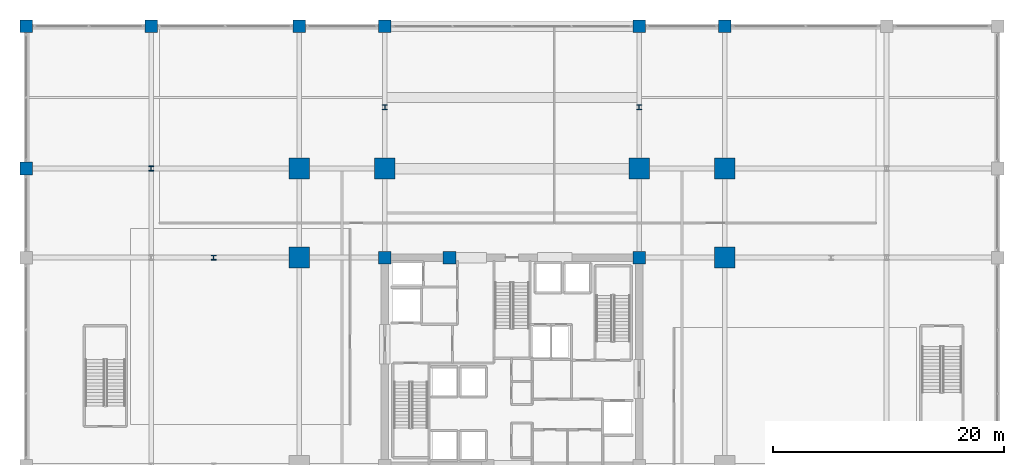
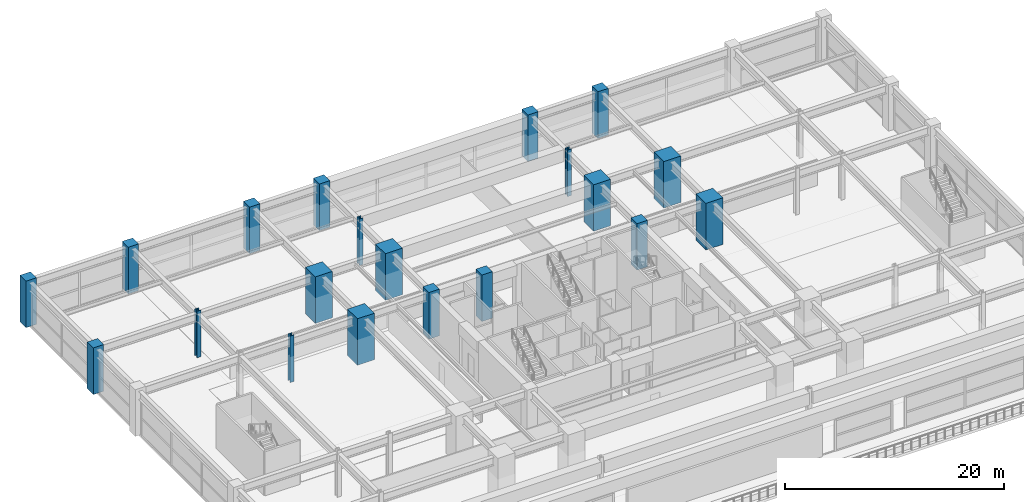
# One storey, part 2 of 45: 20 columns.
"""IFC4 building model written with IfcOpenShell, lengths in metres."""

from ifc_helpers import new_model, si_unit, direction, frame, origin, origin_2d, place, context, subcontext, project, spatial, rectangle, i_section, extrude, material, material_profile, profile_set, type_object, element, save


model = new_model("IFC4")

# Units and contexts
model_context = context("Model", 3, precision=1e-05, world=origin(), true_north=direction((0.0, 1.0)))
body_context = subcontext(model_context, "Body", "Model", "MODEL_VIEW")
ifc_project = project(units=[si_unit("LENGTHUNIT", "METRE"), si_unit("AREAUNIT", "SQUARE_METRE"), si_unit("VOLUMEUNIT", "CUBIC_METRE"), si_unit("PLANEANGLEUNIT", "RADIAN"), si_unit("MASSUNIT", "GRAM", prefix="KILO")], contexts=[model_context])

# Site, building, storey
site_placement = place(None, origin())
site = spatial("IfcSite", under=ifc_project, at=site_placement, CompositionType="ELEMENT")
building_placement = place(site_placement, origin())
building = spatial("IfcBuilding", under=site, at=building_placement, Name="Kovane Verandah Tower", CompositionType="ELEMENT")
storey_placement = place(building_placement, frame((0.0, 0.0, 6.0)))
storey = spatial("IfcBuildingStorey", under=building, at=storey_placement, Name="L01", CompositionType="ELEMENT", Elevation=6.0)

# Columns
ifc_material_1 = material(Name="Concrete C60/75", Category="concrete")
ifc_material_profile_1 = material_profile(ifc_material_1, rectangle(XDim=1.10009765625, YDim=1.10009765625, at=origin_2d()), Name="RC1100x1100")
ifc_profile_set_1 = profile_set([ifc_material_profile_1], Name="Concrete C60/75")
column_type_1 = type_object("IfcColumnType", Name="COL-POD1100", PredefinedType="COLUMN", material=ifc_profile_set_1)
for number, where, z_axis, x_axis, name in (
    (1, (-2.0, 44.199951171875, 0.0), (0.0, 0.0, 1.0), (1.0, 0.0, 0.0), "L01 Podium Column PC-W4"),
    (2, (-2.0, 56.5, 0.0), (0.0, 0.0, 1.0), (1.0, 0.0, 0.0), "L01 Podium Column PC-W5"),
    (3, (8.800048828125, 56.5, 0.0), (0.0, 0.0, 1.0), (1.0, 0.0, 0.0), "L01 Podium Column PC-N1"),
    (4, (21.60009765625, 56.5, 0.0), (0.0, 0.0, 1.0), (1.0, 0.0, 0.0), "L01 Podium Column PC-N2"),
    (5, (29.0, 56.5, 0.0), (0.0, 0.0, 1.0), (1.0, 0.0, 0.0), "L01 Podium Column PC-N3"),
    (6, (51.0, 56.5, 0.0), (0.0, 0.0, 1.0), (1.0, 0.0, 0.0), "L01 Podium Column PC-N4"),
    (7, (58.39990234375, 56.5, 0.0), (0.0, 0.0, 1.0), (1.0, 0.0, 0.0), "L01 Podium Column PC-N5"),
):
    element("IfcColumn", number, at=place(storey_placement, frame(where, z_axis=z_axis, x_axis=x_axis)), inside=storey, type_object=column_type_1, Name=name, PredefinedType="COLUMN", context=body_context, shape_type="SweptSolid", body=[
        extrude(rectangle(XDim=1.10009765625, YDim=1.10009765625, at=origin_2d()), origin(), (0.0, 0.0, 1.0), 5.199951171875),
    ])
ifc_material_2 = material(Name="Concrete C80/95", Category="concrete")
ifc_material_profile_2 = material_profile(ifc_material_2, rectangle(XDim=1.800048828125, YDim=1.800048828125, at=origin_2d()), Name="RC1800x1800")
ifc_profile_set_2 = profile_set([ifc_material_profile_2], Name="Concrete C80/95")
column_type_2 = type_object("IfcColumnType", Name="COL-RC1800", PredefinedType="COLUMN", material=ifc_profile_set_2)
for number, where, z_axis, x_axis, name in (
    (8, (29.0, 44.199951171875, 0.0), (0.0, 0.0, 1.0), (1.0, 0.0, 0.0), "L01 Tower Mega-Column MC-N1"),
    (9, (51.0, 44.199951171875, 0.0), (0.0, 0.0, 1.0), (1.0, 0.0, 0.0), "L01 Tower Mega-Column MC-N2"),
    (10, (21.60009765625, 36.5, 0.0), (0.0, 0.0, 1.0), (1.0, 0.0, 0.0), "L01 Tower Mega-Column MC-W2"),
    (11, (58.39990234375, 36.5, 0.0), (0.0, 0.0, 1.0), (1.0, 0.0, 0.0), "L01 Tower Mega-Column MC-E2"),
    (12, (21.60009765625, 44.199951171875, 0.0), (0.0, 0.0, 1.0), (1.0, 0.0, 0.0), "L01 Tower Mega-Column MC-NW"),
    (13, (58.39990234375, 44.199951171875, 0.0), (0.0, 0.0, 1.0), (1.0, 0.0, 0.0), "L01 Tower Mega-Column MC-NE"),
):
    element("IfcColumn", number, at=place(storey_placement, frame(where, z_axis=z_axis, x_axis=x_axis)), inside=storey, type_object=column_type_2, Name=name, PredefinedType="COLUMN", context=body_context, shape_type="SweptSolid", body=[
        extrude(rectangle(XDim=1.800048828125, YDim=1.800048828125, at=origin_2d()), origin(), (0.0, 0.0, 1.0), 5.199951171875),
    ])
ifc_material_3 = material(Name="Steel S460", Category="steel")
ifc_material_profile_3 = material_profile(ifc_material_3, i_section(OverallWidth=0.412109375, OverallDepth=0.4365234375, WebThickness=0.035888671875, FlangeThickness=0.05810546875, FilletRadius=0.01513671875, at=origin_2d()), Name="UC356x406x467")
ifc_profile_set_3 = profile_set([ifc_material_profile_3], Name="Steel S460")
column_type_3 = type_object("IfcColumnType", Name="COL-UC467", PredefinedType="COLUMN", material=ifc_profile_set_3)
for number, where, z_axis, x_axis, name in (
    (14, (14.199951171875, 36.5, 0.0), (0.0, 0.0, 1.0), (1.0, 0.0, 0.0), "L01 Verandah Perimeter Column VC-W2"),
    (15, (29.0, 49.5, 0.0), (0.0, 0.0, 1.0), (1.0, 0.0, 0.0), "L01 Verandah Perimeter Column VC-N1"),
    (16, (51.0, 49.5, 0.0), (0.0, 0.0, 1.0), (1.0, 0.0, 0.0), "L01 Verandah Perimeter Column VC-N2"),
):
    element("IfcColumn", number, at=place(storey_placement, frame(where, z_axis=z_axis, x_axis=x_axis)), inside=storey, type_object=column_type_3, Name=name, PredefinedType="COLUMN", context=body_context, shape_type="SweptSolid", body=[
        extrude(i_section(OverallWidth=0.412109375, OverallDepth=0.4365234375, WebThickness=0.035888671875, FlangeThickness=0.05810546875, FilletRadius=0.01513671875, at=origin_2d()), origin(), (0.0, 0.0, 1.0), 5.199951171875),
    ])
ifc_material_4 = material(Name="Steel S355", Category="steel")
ifc_material_profile_4 = material_profile(ifc_material_4, i_section(OverallWidth=0.41845703125, OverallDepth=0.45556640625, WebThickness=0.0419921875, FlangeThickness=0.0673828125, FilletRadius=0.01513671875, at=origin_2d()), Name="UC356x406x551")
ifc_profile_set_4 = profile_set([ifc_material_profile_4], Name="Steel S355")
column_type_4 = type_object("IfcColumnType", Name="COL-UC551", PredefinedType="COLUMN", material=ifc_profile_set_4)
column_placement = place(storey_placement, frame((8.800048828125, 44.199951171875, 0.0), z_axis=(0.0, 0.0, 1.0), x_axis=(1.0, 0.0, 0.0)))
element("IfcColumn", 17, at=column_placement, inside=storey, type_object=column_type_4, Name="L01 Podium Column PC-MW4", PredefinedType="COLUMN", context=body_context, shape_type="SweptSolid", body=[
    extrude(i_section(OverallWidth=0.41845703125, OverallDepth=0.45556640625, WebThickness=0.0419921875, FlangeThickness=0.0673828125, FilletRadius=0.01513671875, at=origin_2d()), origin(), (0.0, 0.0, 1.0), 5.199951171875),
])
ifc_material_profile_5 = material_profile(ifc_material_2, rectangle(XDim=1.10009765625, YDim=1.10009765625, at=origin_2d()), Name="RC1100x1100")
ifc_profile_set_5 = profile_set([ifc_material_profile_5], Name="Concrete C80/95")
column_type_5 = type_object("IfcColumnType", Name="PIL-RC1100", PredefinedType="PILASTER", material=ifc_profile_set_5)
for number, where, z_axis, x_axis, name in (
    (18, (29.0, 36.5, 0.0), (0.0, 0.0, 1.0), (1.0, 0.0, 0.0), "L01 Core Pilaster CP-NW"),
    (19, (51.0, 36.5, 0.0), (0.0, 0.0, 1.0), (1.0, 0.0, 0.0), "L01 Core Pilaster CP-NE"),
    (20, (34.60009765625, 36.5, 0.0), (0.0, 0.0, 1.0), (1.0, 0.0, 0.0), "L01 Core Pilaster CP-N"),
):
    element("IfcColumn", number, at=place(storey_placement, frame(where, z_axis=z_axis, x_axis=x_axis)), inside=storey, type_object=column_type_5, Name=name, PredefinedType="PILASTER", context=body_context, shape_type="SweptSolid", body=[
        extrude(rectangle(XDim=1.10009765625, YDim=1.10009765625, at=origin_2d()), origin(), (0.0, 0.0, 1.0), 5.199951171875),
    ])

save(model, "model.ifc")
